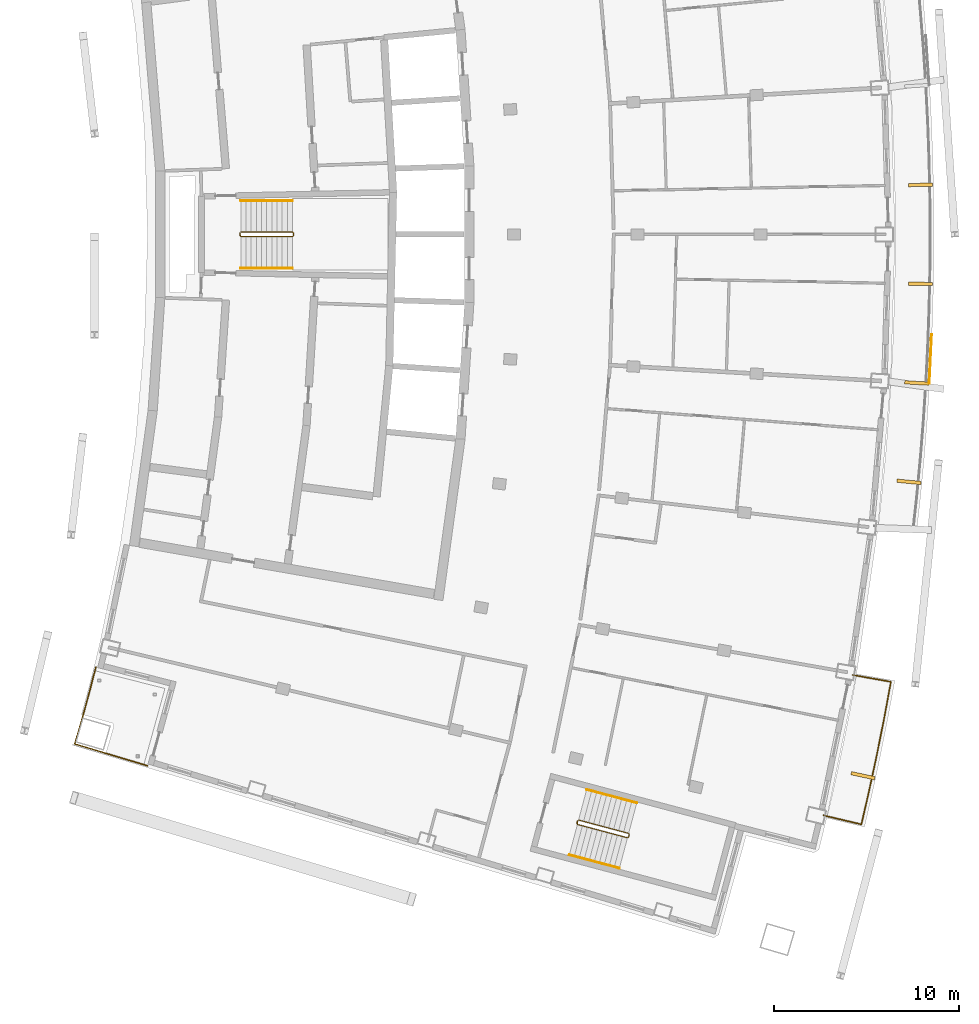
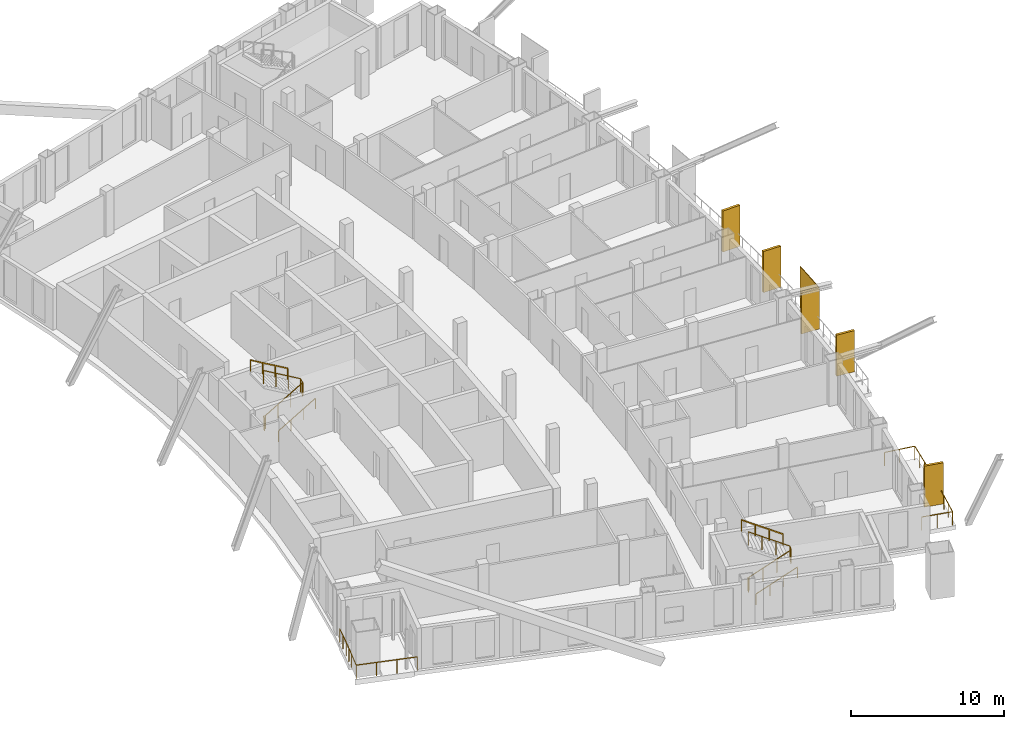
# One storey, part 15 of 17: 8 railings, 6 shading devices.
"""IFC4 building model written with IfcOpenShell, lengths in metres."""

from ifc_helpers import new_model, si_unit, direction, frame, origin, origin_with_axes, origin_2d, place, context, subcontext, project, spatial, rectangle, extrude, material, layer, layer_set, type_object, element, save


model = new_model("IFC4")

# Units and contexts
model_context = context("Model", 3, precision=1e-05, world=origin(), true_north=direction((0.0, 1.0)))
body_context = subcontext(model_context, "Body", "Model", "MODEL_VIEW")
ifc_project = project(units=[si_unit("LENGTHUNIT", "METRE"), si_unit("AREAUNIT", "SQUARE_METRE"), si_unit("VOLUMEUNIT", "CUBIC_METRE"), si_unit("PLANEANGLEUNIT", "RADIAN"), si_unit("MASSUNIT", "GRAM", prefix="KILO")], contexts=[model_context])

# Site, building, storey
site_placement = place(None, origin())
site = spatial("IfcSite", under=ifc_project, at=site_placement, CompositionType="ELEMENT")
building_placement = place(site_placement, origin())
building = spatial("IfcBuilding", under=site, at=building_placement, Name="Alderwake Tower", CompositionType="ELEMENT")
storey_placement = place(building_placement, frame((0.0, 0.0, 278.0)))
storey = spatial("IfcBuildingStorey", under=building, at=storey_placement, Name="L69", CompositionType="ELEMENT", Elevation=278.0)

# Railings
ifc_material_1 = material(Name="Stainless steel 316 rail and posts", Category="steel")
railing_type_1 = type_object("IfcRailingType", Name="Balcony guard 1100", PredefinedType="GUARDRAIL", material=ifc_material_1)
railing_1_placement = place(storey_placement, frame((52.531982421875, 29.603515625, 0.0)))
element("IfcRailing", 1, at=railing_1_placement, inside=storey, type_object=railing_type_1, Name="Guard BF03", PredefinedType="GUARDRAIL", context=body_context, shape_type="SweptSolid", body=[
    extrude(rectangle(XDim=0.048095703125, YDim=0.048095703125, at=origin_2d()), frame((0.0, 0.0, 1.076171875), z_axis=(0.973057638874, -0.230561990427, 0.0), x_axis=(0.230561990427, 0.973057638874, 0.0)), (0.0, 0.0, 1.0), 2.099853515625),
    extrude(rectangle(XDim=0.048095703125, YDim=0.048095703125, at=origin_2d()), frame((2.043212890625, -0.484130859375, 1.076171875), z_axis=(0.223789603838, 0.974637477842, 0.0), x_axis=(-0.974637477842, 0.223789603838, 0.0)), (0.0, 0.0, 1.0), 1.916748046875),
    extrude(rectangle(XDim=0.048095703125, YDim=0.048095703125, at=origin_2d()), frame((2.47216796875, 1.384033203125, 1.076171875), z_axis=(0.20990108156, 0.977722627313, 0.0), x_axis=(-0.977722627313, 0.20990108156, 0.0)), (0.0, 0.0, 1.0), 2.016845703125),
    extrude(rectangle(XDim=0.048095703125, YDim=0.048095703125, at=origin_2d()), frame((2.8955078125, 3.35595703125, 1.076171875), z_axis=(0.195604007271, 0.980682962195, 0.0), x_axis=(-0.980682962195, 0.195604007271, 0.0)), (0.0, 0.0, 1.0), 2.01708984375),
    extrude(rectangle(XDim=0.048095703125, YDim=0.048095703125, at=origin_2d()), frame((3.2900390625, 5.333984375, 1.076171875), z_axis=(0.181619483168, 0.983368884668, 0.0), x_axis=(-0.983368884668, 0.181619483168, 0.0)), (0.0, 0.0, 1.0), 1.9169921875),
    extrude(rectangle(XDim=0.048095703125, YDim=0.048095703125, at=origin_2d()), frame((3.63818359375, 7.218994140625, 1.076171875), z_axis=(-0.984614556243, 0.174740309131, 0.0), x_axis=(-0.174740309131, -0.984614556243, 0.0)), (0.0, 0.0, 1.0), 2.099853515625),
    extrude(rectangle(XDim=0.0419921875, YDim=0.0419921875, at=origin_2d()), frame((0.0, 0.0, 0.0), z_axis=(0.0, 0.0, 1.0), x_axis=(0.973057638874, -0.230561990427, 0.0)), (0.0, 0.0, 1.0), 1.052001953125),
    extrude(rectangle(XDim=0.0419921875, YDim=0.0419921875, at=origin_2d()), frame((1.021484375, -0.2421875, 0.0), z_axis=(0.0, 0.0, 1.0), x_axis=(0.973057638874, -0.230561990427, 0.0)), (0.0, 0.0, 1.0), 1.052001953125),
    extrude(rectangle(XDim=0.0419921875, YDim=0.0419921875, at=origin_2d()), frame((2.043212890625, -0.484130859375, 0.0), z_axis=(0.0, 0.0, 1.0), x_axis=(0.223789603838, 0.974637477842, 0.0)), (0.0, 0.0, 1.0), 1.052001953125),
    extrude(rectangle(XDim=0.0419921875, YDim=0.0419921875, at=origin_2d()), frame((2.2578125, 0.449951171875, 0.0), z_axis=(0.0, 0.0, 1.0), x_axis=(0.223789603838, 0.974637477842, 0.0)), (0.0, 0.0, 1.0), 1.052001953125),
    extrude(rectangle(XDim=0.0419921875, YDim=0.0419921875, at=origin_2d()), frame((2.47216796875, 1.384033203125, 0.0), z_axis=(0.0, 0.0, 1.0), x_axis=(0.20990108156, 0.977722627313, 0.0)), (0.0, 0.0, 1.0), 1.052001953125),
    extrude(rectangle(XDim=0.0419921875, YDim=0.0419921875, at=origin_2d()), frame((2.683837890625, 2.3701171875, 0.0), z_axis=(0.0, 0.0, 1.0), x_axis=(0.20990108156, 0.977722627313, 0.0)), (0.0, 0.0, 1.0), 1.052001953125),
    extrude(rectangle(XDim=0.0419921875, YDim=0.0419921875, at=origin_2d()), frame((2.8955078125, 3.35595703125, 0.0), z_axis=(0.0, 0.0, 1.0), x_axis=(0.195604007271, 0.980682962195, 0.0)), (0.0, 0.0, 1.0), 1.052001953125),
    extrude(rectangle(XDim=0.0419921875, YDim=0.0419921875, at=origin_2d()), frame((3.0927734375, 4.344970703125, 0.0), z_axis=(0.0, 0.0, 1.0), x_axis=(0.195604007271, 0.980682962195, 0.0)), (0.0, 0.0, 1.0), 1.052001953125),
    extrude(rectangle(XDim=0.0419921875, YDim=0.0419921875, at=origin_2d()), frame((3.2900390625, 5.333984375, 0.0), z_axis=(0.0, 0.0, 1.0), x_axis=(0.181619483168, 0.983368884668, 0.0)), (0.0, 0.0, 1.0), 1.052001953125),
    extrude(rectangle(XDim=0.0419921875, YDim=0.0419921875, at=origin_2d()), frame((3.464111328125, 6.2763671875, 0.0), z_axis=(0.0, 0.0, 1.0), x_axis=(0.181619483168, 0.983368884668, 0.0)), (0.0, 0.0, 1.0), 1.052001953125),
    extrude(rectangle(XDim=0.0419921875, YDim=0.0419921875, at=origin_2d()), frame((3.63818359375, 7.218994140625, 0.0), z_axis=(0.0, 0.0, 1.0), x_axis=(-0.984614556243, 0.174740309131, 0.0)), (0.0, 0.0, 1.0), 1.052001953125),
    extrude(rectangle(XDim=0.0419921875, YDim=0.0419921875, at=origin_2d()), frame((2.6044921875, 7.40234375, 0.0), z_axis=(0.0, 0.0, 1.0), x_axis=(-0.984614556243, 0.174740309131, 0.0)), (0.0, 0.0, 1.0), 1.052001953125),
    extrude(rectangle(XDim=0.0419921875, YDim=0.0419921875, at=origin_2d()), frame((1.570556640625, 7.5859375, 0.0), z_axis=(0.0, 0.0, 1.0), x_axis=(-0.984614556243, 0.174740309131, 0.0)), (0.0, 0.0, 1.0), 1.052001953125),
])
railing_2_placement = place(storey_placement, frame((13.210693359375, 37.612548828125, 0.0)))
element("IfcRailing", 2, at=railing_2_placement, inside=storey, type_object=railing_type_1, Name="Guard terrace RS", PredefinedType="GUARDRAIL", context=body_context, shape_type="SweptSolid", body=[
    extrude(rectangle(XDim=0.048095703125, YDim=0.048095703125, at=origin_2d()), frame((0.0, 0.0, 1.076171875), z_axis=(-0.251385381433, -0.967887075026, 0.0), x_axis=(0.967887075026, -0.251385381433, 0.0)), (0.0, 0.0, 1.0), 1.6015625),
    extrude(rectangle(XDim=0.048095703125, YDim=0.048095703125, at=origin_2d()), frame((-0.402587890625, -1.550048828125, 1.076171875), z_axis=(-0.266520638672, -0.963829211615, 0.0), x_axis=(0.963829211615, -0.266520638672, 0.0)), (0.0, 0.0, 1.0), 1.401611328125),
    extrude(rectangle(XDim=0.048095703125, YDim=0.048095703125, at=origin_2d()), frame((-0.776123046875, -2.90087890625, 1.076171875), z_axis=(-0.280093650878, -0.959972680204, 0.0), x_axis=(0.959972680204, -0.280093650878, 0.0)), (0.0, 0.0, 1.0), 1.30126953125),
    extrude(rectangle(XDim=0.048095703125, YDim=0.048095703125, at=origin_2d()), frame((-1.140625, -4.150146484375, 1.076171875), z_axis=(0.958066871889, -0.286544706789, 0.0), x_axis=(0.286544706789, 0.958066871889, 0.0)), (0.0, 0.0, 1.0), 4.099853515625),
    extrude(rectangle(XDim=0.0419921875, YDim=0.0419921875, at=origin_2d()), frame((0.0, 0.0, 0.0), z_axis=(0.0, 0.0, 1.0), x_axis=(-0.251385381433, -0.967887075026, 0.0)), (0.0, 0.0, 1.0), 1.052001953125),
    extrude(rectangle(XDim=0.0419921875, YDim=0.0419921875, at=origin_2d()), frame((-0.201171875, -0.77490234375, 0.0), z_axis=(0.0, 0.0, 1.0), x_axis=(-0.251385381433, -0.967887075026, 0.0)), (0.0, 0.0, 1.0), 1.052001953125),
    extrude(rectangle(XDim=0.0419921875, YDim=0.0419921875, at=origin_2d()), frame((-0.402587890625, -1.550048828125, 0.0), z_axis=(0.0, 0.0, 1.0), x_axis=(-0.266520638672, -0.963829211615, 0.0)), (0.0, 0.0, 1.0), 1.052001953125),
    extrude(rectangle(XDim=0.0419921875, YDim=0.0419921875, at=origin_2d()), frame((-0.58935546875, -2.2255859375, 0.0), z_axis=(0.0, 0.0, 1.0), x_axis=(-0.266520638672, -0.963829211615, 0.0)), (0.0, 0.0, 1.0), 1.052001953125),
    extrude(rectangle(XDim=0.0419921875, YDim=0.0419921875, at=origin_2d()), frame((-0.776123046875, -2.90087890625, 0.0), z_axis=(0.0, 0.0, 1.0), x_axis=(-0.280093650878, -0.959972680204, 0.0)), (0.0, 0.0, 1.0), 1.052001953125),
    extrude(rectangle(XDim=0.0419921875, YDim=0.0419921875, at=origin_2d()), frame((-1.140625, -4.150146484375, 0.0), z_axis=(0.0, 0.0, 1.0), x_axis=(0.958066871889, -0.286544706789, 0.0)), (0.0, 0.0, 1.0), 1.052001953125),
    extrude(rectangle(XDim=0.0419921875, YDim=0.0419921875, at=origin_2d()), frame((0.168701171875, -4.541748046875, 0.0), z_axis=(0.0, 0.0, 1.0), x_axis=(0.958066871889, -0.286544706789, 0.0)), (0.0, 0.0, 1.0), 1.052001953125),
    extrude(rectangle(XDim=0.0419921875, YDim=0.0419921875, at=origin_2d()), frame((1.47802734375, -4.933349609375, 0.0), z_axis=(0.0, 0.0, 1.0), x_axis=(0.958066871889, -0.286544706789, 0.0)), (0.0, 0.0, 1.0), 1.052001953125),
    extrude(rectangle(XDim=0.0419921875, YDim=0.0419921875, at=origin_2d()), frame((2.787353515625, -5.324951171875, 0.0), z_axis=(0.0, 0.0, 1.0), x_axis=(0.958066871889, -0.286544706789, 0.0)), (0.0, 0.0, 1.0), 1.052001953125),
])

# Shading devices
ifc_material_2 = material(Name="Bronze anodised aluminium", Category="aluminium")
ifc_layer_1 = layer(ifc_material_2, 0.179931640625)
ifc_layer_set_1 = layer_set([ifc_layer_1], Name="Facade fin 1300")
shading_device_type_1 = type_object("IfcShadingDeviceType", Name="Facade fin 1300", PredefinedType="USERDEFINED", material=ifc_layer_set_1)
for number, where, z_axis, x_axis, name in (
    (3, (54.65966796875, 31.748779296875, 0.0), (0.0, 0.0, 1.0), (0.977210363881, -0.212273184185, 0.0), "Fin"),
    (4, (57.149658203125, 47.626953125, 0.0), (0.0, 0.0, 1.0), (0.995279882363, -0.097046152751, 0.0), "Fin"),
    (5, (57.56591796875, 52.970703125, 0.0), (0.0, 0.0, 1.0), (0.998301080988, -0.058266214038, 0.0), "Fin"),
    (6, (57.774169921875, 58.326904296875, 0.0), (0.0, 0.0, 1.0), (0.999811838809, -0.019398117887, 0.0), "Fin"),
    (7, (57.774169921875, 63.673095703125, 0.0), (0.0, 0.0, 1.0), (0.999811838809, 0.019398117887, 0.0), "Fin"),
):
    element("IfcShadingDevice", number, at=place(storey_placement, frame(where, z_axis=z_axis, x_axis=x_axis)), inside=storey, type_object=shading_device_type_1, Name=name, ObjectType="FIN", PredefinedType="USERDEFINED", context=body_context, shape_type="SweptSolid", body=[
        extrude(rectangle(XDim=1.300048828125, YDim=0.179931640625, at=origin_2d()), origin(), (0.0, 0.0, 1.0), 3.280029296875),
    ])
ifc_material_3 = material(Name="Perforated bronze anodised aluminium", Category="aluminium")
ifc_layer_2 = layer(ifc_material_3, 0.050048828125)
ifc_layer_set_2 = layer_set([ifc_layer_2], Name="Perforated screen panel")
shading_device_type_2 = type_object("IfcShadingDeviceType", Name="Perforated screen panel", PredefinedType="USERDEFINED", material=ifc_layer_set_2)
shading_device_placement = place(storey_placement, frame((58.304931640625, 54.273193359375, 0.0), z_axis=(0.0, 0.0, 1.0), x_axis=(0.998819231138, -0.048581308217, 0.0)))
element("IfcShadingDevice", 8, at=shading_device_placement, inside=storey, type_object=shading_device_type_2, Name="Screen panel", ObjectType="SCREEN", PredefinedType="USERDEFINED", context=body_context, shape_type="SweptSolid", body=[
    extrude(rectangle(XDim=0.050048828125, YDim=2.686279296875, at=origin_2d()), origin(), (0.0, 0.0, 1.0), 3.280029296875),
])

# Railings
ifc_material_4 = material(Name="Stainless steel guard", Category="steel")
railing_type_2 = type_object("IfcRailingType", Name="Stair guard 1100", PredefinedType="GUARDRAIL", material=ifc_material_4)
railing_3_placement = place(storey_placement, frame((20.989990234375, 60.925048828125, 0.0)))
element("IfcRailing", 9, at=railing_3_placement, inside=storey, type_object=railing_type_2, Name="L69 ST-B stair guard 1", PredefinedType="GUARDRAIL", context=body_context, shape_type="SweptSolid", body=[
    extrude(rectangle(XDim=0.048095703125, YDim=0.048095703125, at=origin_2d()), frame((0.0, 0.0, 1.076171875), z_axis=(0.0, 1.0, 0.0), x_axis=(-1.0, 0.0, 0.0)), (0.0, 0.0, 1.0), 0.14990234375),
    extrude(rectangle(XDim=0.048095703125, YDim=0.048095703125, at=origin_2d()), frame((0.0, 0.14990234375, 1.076171875), z_axis=(0.190199549216, -0.759870394187, 0.621627795), x_axis=(0.970072785993, 0.242814311512, 0.0)), (0.0, 0.0, 1.0), 0.26318359375),
    extrude(rectangle(XDim=0.048095703125, YDim=0.048095703125, at=origin_2d()), frame((0.050048828125, -0.050048828125, 1.23974609375), z_axis=(0.863360870873, 0.0, 0.504586966384), x_axis=(0.0, 1.0, 0.0)), (0.0, 0.0, 1.0), 3.2431640625),
    extrude(rectangle(XDim=0.048095703125, YDim=0.048095703125, at=origin_2d()), frame((2.85009765625, -0.050048828125, 2.8759765625), z_axis=(0.705375805398, 0.708833529934, 0.0), x_axis=(-0.708833529934, 0.705375805398, 0.0)), (0.0, 0.0, 1.0), 0.070556640625),
    extrude(rectangle(XDim=0.048095703125, YDim=0.048095703125, at=origin_2d()), frame((2.89990234375, 0.0, 2.8759765625), z_axis=(0.0, 1.0, 0.0), x_axis=(-1.0, 0.0, 0.0)), (0.0, 0.0, 1.0), 0.14990234375),
    extrude(rectangle(XDim=0.048095703125, YDim=0.048095703125, at=origin_2d()), frame((2.89990234375, 0.14990234375, 2.8759765625), z_axis=(-0.279546231943, 0.280916556609, 0.91811752648), x_axis=(-0.708833529934, -0.705375805398, 0.0)), (0.0, 0.0, 1.0), 0.17822265625),
    extrude(rectangle(XDim=0.048095703125, YDim=0.048095703125, at=origin_2d()), frame((2.85009765625, 0.199951171875, 3.03955078125), z_axis=(-0.863360870873, 0.0, 0.504586966384), x_axis=(0.0, -1.0, 0.0)), (0.0, 0.0, 1.0), 3.2431640625),
    extrude(rectangle(XDim=0.0419921875, YDim=0.0419921875, at=origin_2d()), frame((0.0, 0.0, 0.0), z_axis=(0.0, 0.0, 1.0), x_axis=(0.0, 1.0, 0.0)), (0.0, 0.0, 1.0), 1.052001953125),
    extrude(rectangle(XDim=0.0419921875, YDim=0.0419921875, at=origin_2d()), frame((0.0, 0.14990234375, 0.0), z_axis=(0.0, 0.0, 1.0), x_axis=(0.242814311512, -0.970072785993, 0.0)), (0.0, 0.0, 1.0), 1.052001953125),
    extrude(rectangle(XDim=0.0419921875, YDim=0.0419921875, at=origin_2d()), frame((0.050048828125, -0.050048828125, 0.16357421875), z_axis=(0.0, 0.0, 1.0), x_axis=(1.0, 0.0, 0.0)), (0.0, 0.0, 1.0), 1.052001953125),
    extrude(rectangle(XDim=0.0419921875, YDim=0.0419921875, at=origin_2d()), frame((0.9833984375, -0.050048828125, 0.708984375), z_axis=(0.0, 0.0, 1.0), x_axis=(1.0, 0.0, 0.0)), (0.0, 0.0, 1.0), 1.052001953125),
    extrude(rectangle(XDim=0.0419921875, YDim=0.0419921875, at=origin_2d()), frame((1.916748046875, -0.050048828125, 1.254638671875), z_axis=(0.0, 0.0, 1.0), x_axis=(1.0, 0.0, 0.0)), (0.0, 0.0, 1.0), 1.052001953125),
    extrude(rectangle(XDim=0.0419921875, YDim=0.0419921875, at=origin_2d()), frame((2.85009765625, -0.050048828125, 1.800048828125), z_axis=(0.0, 0.0, 1.0), x_axis=(0.705375805398, 0.708833529934, 0.0)), (0.0, 0.0, 1.0), 1.052001953125),
    extrude(rectangle(XDim=0.0419921875, YDim=0.0419921875, at=origin_2d()), frame((2.89990234375, 0.0, 1.800048828125), z_axis=(0.0, 0.0, 1.0), x_axis=(0.0, 1.0, 0.0)), (0.0, 0.0, 1.0), 1.052001953125),
    extrude(rectangle(XDim=0.0419921875, YDim=0.0419921875, at=origin_2d()), frame((2.89990234375, 0.14990234375, 1.800048828125), z_axis=(0.0, 0.0, 1.0), x_axis=(-0.705375805398, 0.708833529934, 0.0)), (0.0, 0.0, 1.0), 1.052001953125),
    extrude(rectangle(XDim=0.0419921875, YDim=0.0419921875, at=origin_2d()), frame((2.85009765625, 0.199951171875, 1.963623046875), z_axis=(0.0, 0.0, 1.0), x_axis=(-1.0, 0.0, 0.0)), (0.0, 0.0, 1.0), 1.052001953125),
    extrude(rectangle(XDim=0.0419921875, YDim=0.0419921875, at=origin_2d()), frame((1.916748046875, 0.199951171875, 2.509033203125), z_axis=(0.0, 0.0, 1.0), x_axis=(-1.0, 0.0, 0.0)), (0.0, 0.0, 1.0), 1.052001953125),
    extrude(rectangle(XDim=0.0419921875, YDim=0.0419921875, at=origin_2d()), frame((0.9833984375, 0.199951171875, 3.0546875), z_axis=(0.0, 0.0, 1.0), x_axis=(-1.0, 0.0, 0.0)), (0.0, 0.0, 1.0), 1.052001953125),
    extrude(rectangle(XDim=0.0419921875, YDim=0.0419921875, at=origin_2d()), frame((0.050048828125, 0.199951171875, 3.60009765625), z_axis=(0.0, 0.0, 1.0), x_axis=(-1.0, 0.0, 0.0)), (0.0, 0.0, 1.0), 1.052001953125),
])
railing_4_placement = place(storey_placement, frame((39.1943359375, 29.17431640625, 0.0)))
element("IfcRailing", 10, at=railing_4_placement, inside=storey, type_object=railing_type_2, Name="L69 ST-C stair guard 1", PredefinedType="GUARDRAIL", context=body_context, shape_type="SweptSolid", body=[
    extrude(rectangle(XDim=0.048095703125, YDim=0.048095703125, at=origin_2d()), frame((0.0, 0.0, 1.076171875), z_axis=(0.257459803502, 0.966289009345, 0.0), x_axis=(-0.966289009345, 0.257459803502, 0.0)), (0.0, 0.0, 1.0), 0.14990234375),
    extrude(rectangle(XDim=0.048095703125, YDim=0.048095703125, at=origin_2d()), frame((0.03857421875, 0.144775390625, 1.076171875), z_axis=(-0.012062893862, -0.783160186125, 0.621702991355), x_axis=(0.999881397308, -0.015401016783, 0.0)), (0.0, 0.0, 1.0), 0.26318359375),
    extrude(rectangle(XDim=0.048095703125, YDim=0.048095703125, at=origin_2d()), frame((0.035400390625, -0.061279296875, 1.23974609375), z_axis=(0.834281824786, -0.222214197128, 0.504573768072), x_axis=(0.257380452725, 0.966310148221, 0.0)), (0.0, 0.0, 1.0), 3.2431640625),
    extrude(rectangle(XDim=0.048095703125, YDim=0.048095703125, at=origin_2d()), frame((2.7412109375, -0.781982421875, 2.8759765625), z_axis=(0.865031189262, 0.501718089772, 0.0), x_axis=(-0.501718089772, 0.865031189262, 0.0)), (0.0, 0.0, 1.0), 0.070556640625),
    extrude(rectangle(XDim=0.048095703125, YDim=0.048095703125, at=origin_2d()), frame((2.80224609375, -0.74658203125, 2.8759765625), z_axis=(0.257055032184, 0.966396766566, 0.0), x_axis=(-0.966396766566, 0.257055032184, 0.0)), (0.0, 0.0, 1.0), 0.150146484375),
    extrude(rectangle(XDim=0.048095703125, YDim=0.048095703125, at=origin_2d()), frame((2.8408203125, -0.6015625, 2.8759765625), z_axis=(-0.198625291617, 0.343827228937, 0.91778583023), x_axis=(-0.865898279276, -0.500220121494, 0.0)), (0.0, 0.0, 1.0), 0.17822265625),
    extrude(rectangle(XDim=0.048095703125, YDim=0.048095703125, at=origin_2d()), frame((2.805419921875, -0.540283203125, 3.03955078125), z_axis=(-0.834258940753, 0.22222815314, 0.504605457487), x_axis=(-0.257402139082, -0.966304371715, 0.0)), (0.0, 0.0, 1.0), 3.2431640625),
    extrude(rectangle(XDim=0.0419921875, YDim=0.0419921875, at=origin_2d()), frame((0.0, 0.0, 0.0), z_axis=(0.0, 0.0, 1.0), x_axis=(0.257459803502, 0.966289009345, 0.0)), (0.0, 0.0, 1.0), 1.052001953125),
    extrude(rectangle(XDim=0.0419921875, YDim=0.0419921875, at=origin_2d()), frame((0.03857421875, 0.144775390625, 0.0), z_axis=(0.0, 0.0, 1.0), x_axis=(-0.015401016783, -0.999881397308, 0.0)), (0.0, 0.0, 1.0), 1.052001953125),
    extrude(rectangle(XDim=0.0419921875, YDim=0.0419921875, at=origin_2d()), frame((0.035400390625, -0.061279296875, 0.16357421875), z_axis=(0.0, 0.0, 1.0), x_axis=(0.966310148221, -0.257380452725, 0.0)), (0.0, 0.0, 1.0), 1.052001953125),
    extrude(rectangle(XDim=0.0419921875, YDim=0.0419921875, at=origin_2d()), frame((0.937255859375, -0.301513671875, 0.708984375), z_axis=(0.0, 0.0, 1.0), x_axis=(0.966310148221, -0.257380452725, 0.0)), (0.0, 0.0, 1.0), 1.052001953125),
    extrude(rectangle(XDim=0.0419921875, YDim=0.0419921875, at=origin_2d()), frame((1.83935546875, -0.541748046875, 1.254638671875), z_axis=(0.0, 0.0, 1.0), x_axis=(0.966310148221, -0.257380452725, 0.0)), (0.0, 0.0, 1.0), 1.052001953125),
    extrude(rectangle(XDim=0.0419921875, YDim=0.0419921875, at=origin_2d()), frame((2.7412109375, -0.781982421875, 1.800048828125), z_axis=(0.0, 0.0, 1.0), x_axis=(0.865031189262, 0.501718089772, 0.0)), (0.0, 0.0, 1.0), 1.052001953125),
    extrude(rectangle(XDim=0.0419921875, YDim=0.0419921875, at=origin_2d()), frame((2.80224609375, -0.74658203125, 1.800048828125), z_axis=(0.0, 0.0, 1.0), x_axis=(0.257055032184, 0.966396766566, 0.0)), (0.0, 0.0, 1.0), 1.052001953125),
    extrude(rectangle(XDim=0.0419921875, YDim=0.0419921875, at=origin_2d()), frame((2.8408203125, -0.6015625, 1.800048828125), z_axis=(0.0, 0.0, 1.0), x_axis=(-0.500220121494, 0.865898279276, 0.0)), (0.0, 0.0, 1.0), 1.052001953125),
    extrude(rectangle(XDim=0.0419921875, YDim=0.0419921875, at=origin_2d()), frame((2.805419921875, -0.540283203125, 1.963623046875), z_axis=(0.0, 0.0, 1.0), x_axis=(-0.966304371715, 0.257402139082, 0.0)), (0.0, 0.0, 1.0), 1.052001953125),
    extrude(rectangle(XDim=0.0419921875, YDim=0.0419921875, at=origin_2d()), frame((1.903564453125, -0.300048828125, 2.509033203125), z_axis=(0.0, 0.0, 1.0), x_axis=(-0.966304371715, 0.257402139082, 0.0)), (0.0, 0.0, 1.0), 1.052001953125),
    extrude(rectangle(XDim=0.0419921875, YDim=0.0419921875, at=origin_2d()), frame((1.001708984375, -0.059814453125, 3.0546875), z_axis=(0.0, 0.0, 1.0), x_axis=(-0.966304371715, 0.257402139082, 0.0)), (0.0, 0.0, 1.0), 1.052001953125),
    extrude(rectangle(XDim=0.0419921875, YDim=0.0419921875, at=origin_2d()), frame((0.099853515625, 0.180419921875, 3.60009765625), z_axis=(0.0, 0.0, 1.0), x_axis=(-0.966304371715, 0.257402139082, 0.0)), (0.0, 0.0, 1.0), 1.052001953125),
])
ifc_material_5 = material(Name="Stainless steel handrail", Category="steel")
railing_type_3 = type_object("IfcRailingType", Name="Stair handrail 900", PredefinedType="HANDRAIL", material=ifc_material_5)
railing_5_placement = place(storey_placement, frame((21.0400390625, 59.175048828125, 0.16357421875)))
element("IfcRailing", 11, at=railing_5_placement, inside=storey, type_object=railing_type_3, Name="L69 ST-B stair handrail 1", PredefinedType="HANDRAIL", context=body_context, shape_type="SweptSolid", body=[
    extrude(rectangle(XDim=0.048095703125, YDim=0.048095703125, at=origin_2d()), frame((0.0, 0.0, 0.8759765625), z_axis=(0.863360870873, 0.0, 0.504586966384), x_axis=(0.0, 1.0, 0.0)), (0.0, 0.0, 1.0), 3.2431640625),
    extrude(rectangle(XDim=0.0419921875, YDim=0.0419921875, at=origin_2d()), origin_with_axes(), (0.0, 0.0, 1.0), 0.851806640625),
    extrude(rectangle(XDim=0.0419921875, YDim=0.0419921875, at=origin_2d()), frame((0.933349609375, 0.0, 0.54541015625), z_axis=(0.0, 0.0, 1.0), x_axis=(1.0, 0.0, 0.0)), (0.0, 0.0, 1.0), 0.851806640625),
    extrude(rectangle(XDim=0.0419921875, YDim=0.0419921875, at=origin_2d()), frame((1.86669921875, 0.0, 1.091064453125), z_axis=(0.0, 0.0, 1.0), x_axis=(1.0, 0.0, 0.0)), (0.0, 0.0, 1.0), 0.851806640625),
    extrude(rectangle(XDim=0.0419921875, YDim=0.0419921875, at=origin_2d()), frame((2.800048828125, 0.0, 1.636474609375), z_axis=(0.0, 0.0, 1.0), x_axis=(1.0, 0.0, 0.0)), (0.0, 0.0, 1.0), 0.851806640625),
])
railing_6_placement = place(storey_placement, frame((23.840087890625, 62.824951171875, 1.963623046875)))
element("IfcRailing", 12, at=railing_6_placement, inside=storey, type_object=railing_type_3, Name="L69 ST-B stair handrail 2", PredefinedType="HANDRAIL", context=body_context, shape_type="SweptSolid", body=[
    extrude(rectangle(XDim=0.048095703125, YDim=0.048095703125, at=origin_2d()), frame((0.0, 0.0, 0.8759765625), z_axis=(-0.863360870873, 0.0, 0.504586966384), x_axis=(0.0, -1.0, 0.0)), (0.0, 0.0, 1.0), 3.2431640625),
    extrude(rectangle(XDim=0.0419921875, YDim=0.0419921875, at=origin_2d()), frame((0.0, 0.0, 0.0), z_axis=(0.0, 0.0, 1.0), x_axis=(-1.0, 0.0, 0.0)), (0.0, 0.0, 1.0), 0.851806640625),
    extrude(rectangle(XDim=0.0419921875, YDim=0.0419921875, at=origin_2d()), frame((-0.933349609375, 0.0, 0.54541015625), z_axis=(0.0, 0.0, 1.0), x_axis=(-1.0, 0.0, 0.0)), (0.0, 0.0, 1.0), 0.851806640625),
    extrude(rectangle(XDim=0.0419921875, YDim=0.0419921875, at=origin_2d()), frame((-1.86669921875, 0.0, 1.091064453125), z_axis=(0.0, 0.0, 1.0), x_axis=(-1.0, 0.0, 0.0)), (0.0, 0.0, 1.0), 0.851806640625),
    extrude(rectangle(XDim=0.0419921875, YDim=0.0419921875, at=origin_2d()), frame((-2.800048828125, 0.0, 1.636474609375), z_axis=(0.0, 0.0, 1.0), x_axis=(-1.0, 0.0, 0.0)), (0.0, 0.0, 1.0), 0.851806640625),
])
railing_7_placement = place(storey_placement, frame((38.792236328125, 27.47021484375, 0.16357421875)))
element("IfcRailing", 13, at=railing_7_placement, inside=storey, type_object=railing_type_3, Name="L69 ST-C stair handrail 1", PredefinedType="HANDRAIL", context=body_context, shape_type="SweptSolid", body=[
    extrude(rectangle(XDim=0.048095703125, YDim=0.048095703125, at=origin_2d()), frame((0.0, 0.0, 0.8759765625), z_axis=(0.834272895437, -0.222156588561, 0.504613898043), x_axis=(0.25732071773, 0.966326056891, 0.0)), (0.0, 0.0, 1.0), 3.242919921875),
    extrude(rectangle(XDim=0.0419921875, YDim=0.0419921875, at=origin_2d()), frame((0.0, 0.0, 0.0), z_axis=(0.0, 0.0, 1.0), x_axis=(0.966326056891, -0.25732071773, 0.0)), (0.0, 0.0, 1.0), 0.851806640625),
    extrude(rectangle(XDim=0.0419921875, YDim=0.0419921875, at=origin_2d()), frame((0.90185546875, -0.240234375, 0.54541015625), z_axis=(0.0, 0.0, 1.0), x_axis=(0.966326056891, -0.25732071773, 0.0)), (0.0, 0.0, 1.0), 0.851806640625),
    extrude(rectangle(XDim=0.0419921875, YDim=0.0419921875, at=origin_2d()), frame((1.8037109375, -0.480224609375, 1.091064453125), z_axis=(0.0, 0.0, 1.0), x_axis=(0.966326056891, -0.25732071773, 0.0)), (0.0, 0.0, 1.0), 0.851806640625),
    extrude(rectangle(XDim=0.0419921875, YDim=0.0419921875, at=origin_2d()), frame((2.70556640625, -0.720458984375, 1.636474609375), z_axis=(0.0, 0.0, 1.0), x_axis=(0.966326056891, -0.25732071773, 0.0)), (0.0, 0.0, 1.0), 0.851806640625),
])
railing_8_placement = place(storey_placement, frame((42.437255859375, 30.276611328125, 1.963623046875)))
element("IfcRailing", 14, at=railing_8_placement, inside=storey, type_object=railing_type_3, Name="L69 ST-C stair handrail 2", PredefinedType="HANDRAIL", context=body_context, shape_type="SweptSolid", body=[
    extrude(rectangle(XDim=0.048095703125, YDim=0.048095703125, at=origin_2d()), frame((0.0, 0.0, 0.8759765625), z_axis=(-0.834258940753, 0.22222815314, 0.504605457487), x_axis=(-0.257402139082, -0.966304371715, 0.0)), (0.0, 0.0, 1.0), 3.2431640625),
    extrude(rectangle(XDim=0.0419921875, YDim=0.0419921875, at=origin_2d()), frame((0.0, 0.0, 0.0), z_axis=(0.0, 0.0, 1.0), x_axis=(-0.966304371715, 0.257402139082, 0.0)), (0.0, 0.0, 1.0), 0.851806640625),
    extrude(rectangle(XDim=0.0419921875, YDim=0.0419921875, at=origin_2d()), frame((-0.90185546875, 0.240234375, 0.54541015625), z_axis=(0.0, 0.0, 1.0), x_axis=(-0.966304371715, 0.257402139082, 0.0)), (0.0, 0.0, 1.0), 0.851806640625),
    extrude(rectangle(XDim=0.0419921875, YDim=0.0419921875, at=origin_2d()), frame((-1.8037109375, 0.48046875, 1.091064453125), z_axis=(0.0, 0.0, 1.0), x_axis=(-0.966304371715, 0.257402139082, 0.0)), (0.0, 0.0, 1.0), 0.851806640625),
    extrude(rectangle(XDim=0.0419921875, YDim=0.0419921875, at=origin_2d()), frame((-2.70556640625, 0.720703125, 1.636474609375), z_axis=(0.0, 0.0, 1.0), x_axis=(-0.966304371715, 0.257402139082, 0.0)), (0.0, 0.0, 1.0), 0.851806640625),
])

save(model, "model.ifc")
